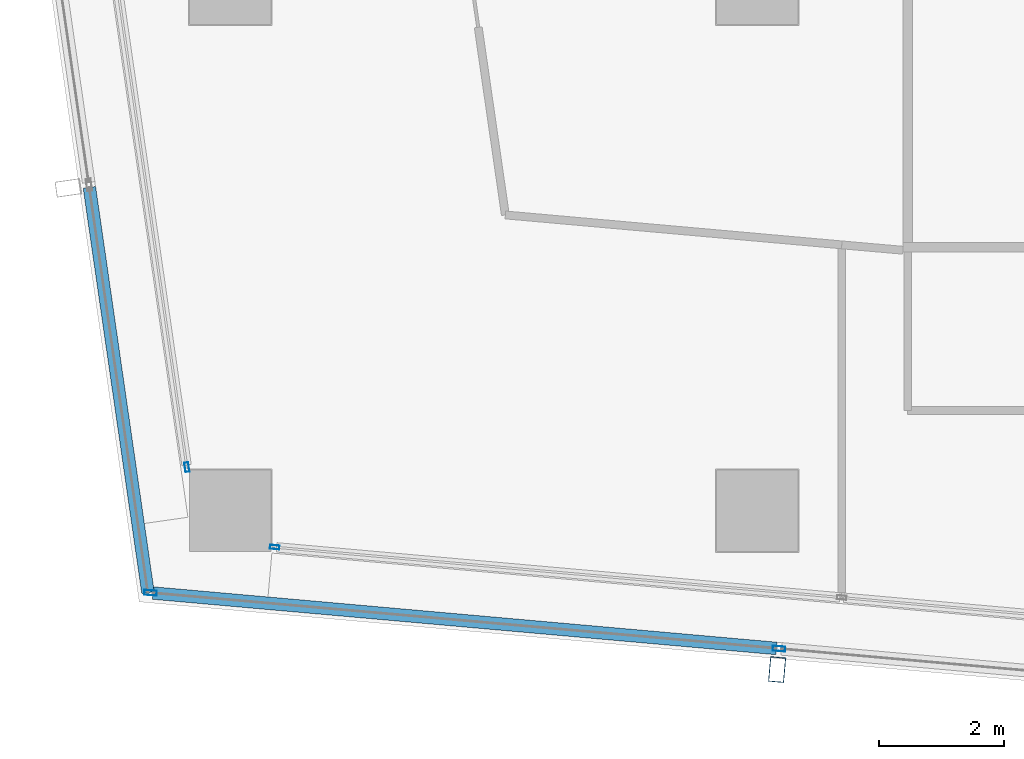
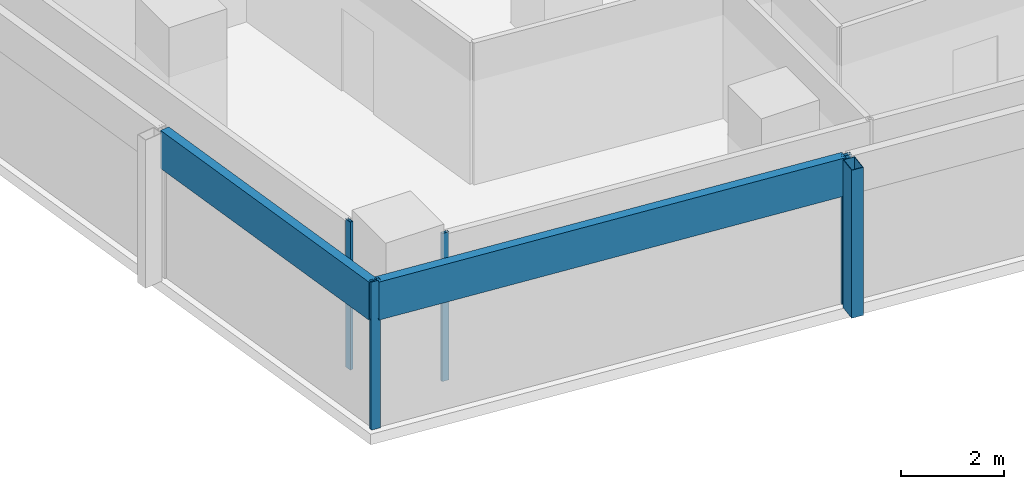
# One storey, part 2 of 30: 7 members, 4 elements without a shape of their own.
"""IFC4 building model written with IfcOpenShell, lengths in metres."""

from ifc_helpers import new_model, si_unit, direction, frame, origin, origin_2d, place, context, subcontext, project, spatial, hollow_rectangle, extrude, material, material_profile, profile_set, type_object, element, aggregate, save


model = new_model("IFC4")

# Units and contexts
model_context = context("Model", 3, precision=1e-05, world=origin(), true_north=direction((0.0, 1.0)))
body_context = subcontext(model_context, "Body", "Model", "MODEL_VIEW")
ifc_project = project(units=[si_unit("LENGTHUNIT", "METRE"), si_unit("AREAUNIT", "SQUARE_METRE"), si_unit("VOLUMEUNIT", "CUBIC_METRE"), si_unit("PLANEANGLEUNIT", "RADIAN"), si_unit("MASSUNIT", "GRAM", prefix="KILO")], contexts=[model_context])

# Site, building, storey
site_placement = place(None, origin())
site = spatial("IfcSite", under=ifc_project, at=site_placement, CompositionType="ELEMENT")
building_placement = place(site_placement, origin())
building = spatial("IfcBuilding", under=site, at=building_placement, Name="Rekha Terrace Tower", CompositionType="ELEMENT")
storey_placement = place(building_placement, frame((0.0, 0.0, 272.60009765625)))
storey = spatial("IfcBuildingStorey", under=building, at=storey_placement, Name="L69", CompositionType="ELEMENT", Elevation=272.60009765625)

# Curtain wall, member
ifc_material_1 = material(Name="Aluminium framing", Category="aluminium")
curtain_wall_type_1 = type_object("IfcCurtainWallType", Name="CW2 double skin outer glazing", PredefinedType="USERDEFINED", material=ifc_material_1)
curtain_wall_1_placement = place(storey_placement, origin())
curtain_wall_1 = element("IfcCurtainWall", 1, at=curtain_wall_1_placement, inside=storey, type_object=curtain_wall_type_1, Name="CW2 double skin outer glazing", ObjectType="DOUBLE SKIN OUTER GLAZING", PredefinedType="USERDEFINED")
ifc_material_2 = material(Name="Steel S355 with fluorocarbon finish", Category="steel")
ifc_material_profile_1 = material_profile(ifc_material_2, hollow_rectangle(XDim=0.25, YDim=0.39990234375, WallThickness=0.012451171875, at=origin_2d()), Name="RHS400x250x12.5")
ifc_profile_set_1 = profile_set([ifc_material_profile_1], Name="Steel S355 with fluorocarbon finish")
member_type_1 = type_object("IfcMemberType", Name="BL1 facade blade RHS 400 x 250", PredefinedType="USERDEFINED", material=ifc_profile_set_1)
member_1_placement = place(storey_placement, frame((17.118896484375, 14.2705078125, 0.0), z_axis=(0.0, 0.0, 1.0), x_axis=(0.996074197996, -0.088522268879, 0.0)))
member_1 = element("IfcMember", 2, at=member_1_placement, type_object=member_type_1, Name="Facade blade", ObjectType="FACADE BLADE", PredefinedType="USERDEFINED", context=body_context, shape_type="SweptSolid", body=[
    extrude(hollow_rectangle(XDim=0.25, YDim=0.39990234375, WallThickness=0.012451171875, at=origin_2d()), origin(), (0.0, 0.0, 1.0), 3.5),
])

curtain_wall_type_2 = type_object("IfcCurtainWallType", Name="CW1 double skin inner glazing", PredefinedType="USERDEFINED", material=ifc_material_1)
curtain_wall_2_placement = place(storey_placement, origin())
curtain_wall_2 = element("IfcCurtainWall", 3, at=curtain_wall_2_placement, inside=storey, type_object=curtain_wall_type_2, Name="CW1 double skin inner glazing", ObjectType="DOUBLE SKIN INNER GLAZING", PredefinedType="USERDEFINED")
ifc_material_3 = material(Name="Aluminium mullion section", Category="aluminium")
ifc_material_profile_2 = material_profile(ifc_material_3, hollow_rectangle(XDim=0.06494140625, YDim=0.14990234375, WallThickness=0.00390625, at=origin_2d()), Name="AL RHS 65x150")
ifc_profile_set_2 = profile_set([ifc_material_profile_2], Name="Aluminium mullion section")
member_type_2 = type_object("IfcMemberType", Name="CW1 mullion RHS 65 x 150", PredefinedType="MULLION", material=ifc_profile_set_2)
member_2_placement = place(storey_placement, frame((9.109130859375, 16.222412109375, 0.0), z_axis=(0.0, 0.0, 1.0), x_axis=(0.088522441405, 0.996074182663, 0.0)))
member_2 = element("IfcMember", 4, at=member_2_placement, type_object=member_type_2, Name="CW1 mullion 1", PredefinedType="MULLION", context=body_context, shape_type="SweptSolid", body=[
    extrude(hollow_rectangle(XDim=0.06494140625, YDim=0.14990234375, WallThickness=0.00390625, at=origin_2d()), origin(), (0.0, 0.0, 1.0), 3.5),
])
aggregate(curtain_wall_2, [member_2])

curtain_wall_3_placement = place(storey_placement, origin())
curtain_wall_3 = element("IfcCurtainWall", 5, at=curtain_wall_3_placement, inside=storey, type_object=curtain_wall_type_2, Name="CW1 double skin inner glazing", ObjectType="DOUBLE SKIN INNER GLAZING", PredefinedType="USERDEFINED")
member_3_placement = place(storey_placement, frame((7.71044921875, 17.497314453125, 0.0), z_axis=(0.0, 0.0, 1.0), x_axis=(0.989707031394, 0.143108322643, 0.0)))
member_3 = element("IfcMember", 6, at=member_3_placement, type_object=member_type_2, Name="CW1 mullion 2", PredefinedType="MULLION", context=body_context, shape_type="SweptSolid", body=[
    extrude(hollow_rectangle(XDim=0.06494140625, YDim=0.14990234375, WallThickness=0.00390625, at=origin_2d()), origin(), (0.0, 0.0, 1.0), 3.5),
])
aggregate(curtain_wall_3, [member_3])

# Member
ifc_material_profile_3 = material_profile(ifc_material_3, hollow_rectangle(XDim=0.080078125, YDim=0.199951171875, WallThickness=0.00390625, at=origin_2d()), Name="AL RHS 80x200")
ifc_profile_set_3 = profile_set([ifc_material_profile_3], Name="Aluminium mullion section")
member_type_3 = type_object("IfcMemberType", Name="CW2 mullion RHS 80 x 200", PredefinedType="MULLION", material=ifc_profile_set_3)
member_4_placement = place(storey_placement, frame((7.130126953125, 15.49462890625, 0.0), z_axis=(0.0, 0.0, 1.0), x_axis=(0.088522441457, 0.996074182658, 0.0)))
member_4 = element("IfcMember", 7, at=member_4_placement, type_object=member_type_3, Name="CW2 mullion 1", PredefinedType="MULLION", context=body_context, shape_type="SweptSolid", body=[
    extrude(hollow_rectangle(XDim=0.080078125, YDim=0.199951171875, WallThickness=0.00390625, at=origin_2d()), origin(), (0.0, 0.0, 1.0), 3.5),
])

member_5_placement = place(storey_placement, frame((17.1484375, 14.604248046875, 0.0), z_axis=(0.0, 0.0, 1.0), x_axis=(0.088522441457, 0.996074182658, 0.0)))
member_5 = element("IfcMember", 8, at=member_5_placement, type_object=member_type_3, Name="CW2 mullion 2", PredefinedType="MULLION", context=body_context, shape_type="SweptSolid", body=[
    extrude(hollow_rectangle(XDim=0.080078125, YDim=0.199951171875, WallThickness=0.00390625, at=origin_2d()), origin(), (0.0, 0.0, 1.0), 3.5),
])

ifc_material_4 = material(Name="Insulated aluminium spandrel box", Category="aluminium")
ifc_material_profile_4 = material_profile(ifc_material_4, hollow_rectangle(XDim=0.199951171875, YDim=0.89990234375, WallThickness=0.0029296875, at=origin_2d()), Name="AL SPANDREL BOX 200x900")
ifc_profile_set_4 = profile_set([ifc_material_profile_4], Name="Insulated aluminium spandrel box")
member_type_4 = type_object("IfcMemberType", Name="CW2 spandrel transom 200 x 900", PredefinedType="USERDEFINED", material=ifc_profile_set_4)
member_6_placement = place(storey_placement, frame((7.169921875, 15.490966796875, 3.0498046875), z_axis=(0.996076044645, -0.088501487472, 0.0), x_axis=(0.088501487472, 0.996076044645, 0.0)))
member_6 = element("IfcMember", 9, at=member_6_placement, type_object=member_type_4, Name="CW2 spandrel transom 1", ObjectType="TRANSOM", PredefinedType="USERDEFINED", context=body_context, shape_type="SweptSolid", body=[
    extrude(hollow_rectangle(XDim=0.199951171875, YDim=0.89990234375, WallThickness=0.0029296875, at=origin_2d()), origin(), (0.0, 0.0, 1.0), 9.977783203125),
])

aggregate(curtain_wall_1, [member_4, member_5, member_6, member_1])

# Curtain wall, member
curtain_wall_4_placement = place(storey_placement, origin())
curtain_wall_4 = element("IfcCurtainWall", 10, at=curtain_wall_4_placement, inside=storey, type_object=curtain_wall_type_1, Name="CW2 double skin outer glazing", ObjectType="DOUBLE SKIN OUTER GLAZING", PredefinedType="USERDEFINED")
member_7_placement = place(storey_placement, frame((6.15625, 21.95703125, 3.0498046875), z_axis=(0.143128512687, -0.989704111771, 0.0), x_axis=(0.989704111771, 0.143128512687, 0.0)))
member_7 = element("IfcMember", 11, at=member_7_placement, type_object=member_type_4, Name="CW2 spandrel transom 2", ObjectType="TRANSOM", PredefinedType="USERDEFINED", context=body_context, shape_type="SweptSolid", body=[
    extrude(hollow_rectangle(XDim=0.199951171875, YDim=0.89990234375, WallThickness=0.0029296875, at=origin_2d()), origin(), (0.0, 0.0, 1.0), 6.526123046875),
])
aggregate(curtain_wall_4, [member_7])

save(model, "model.ifc")
